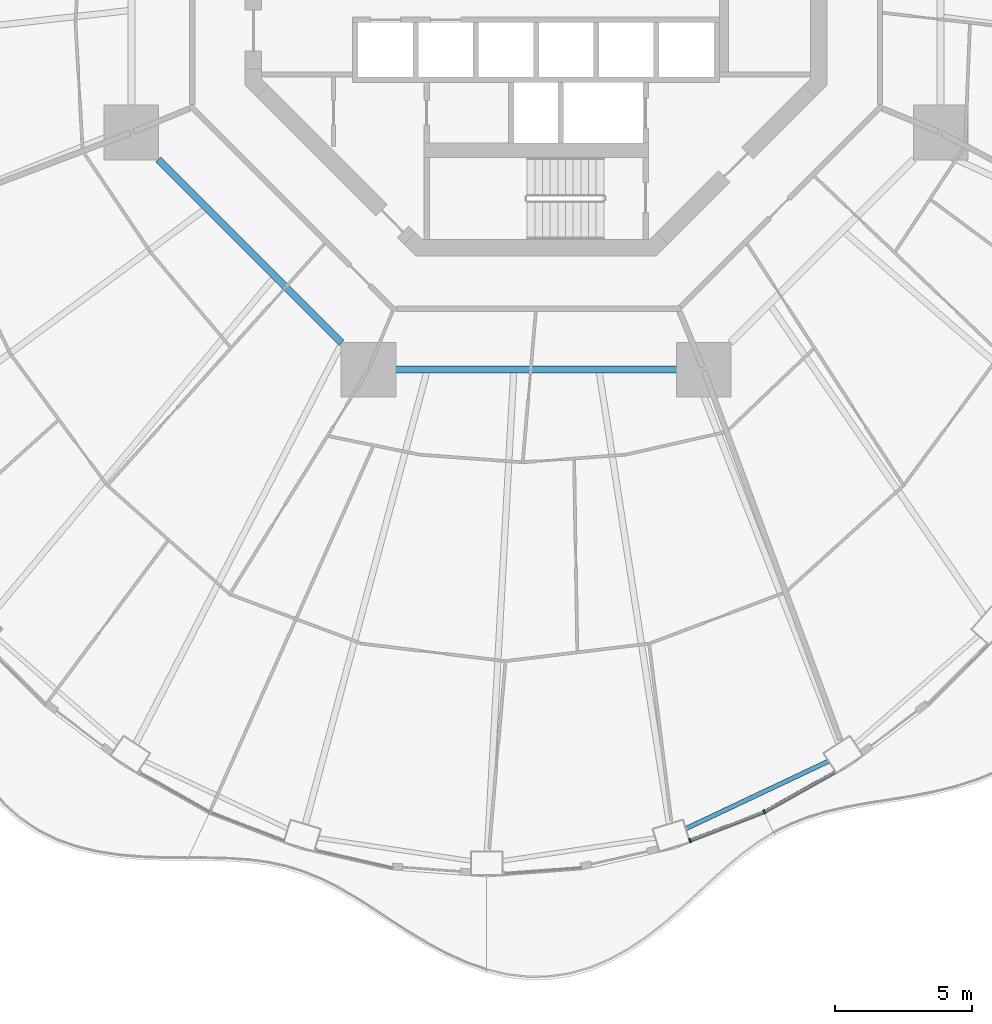
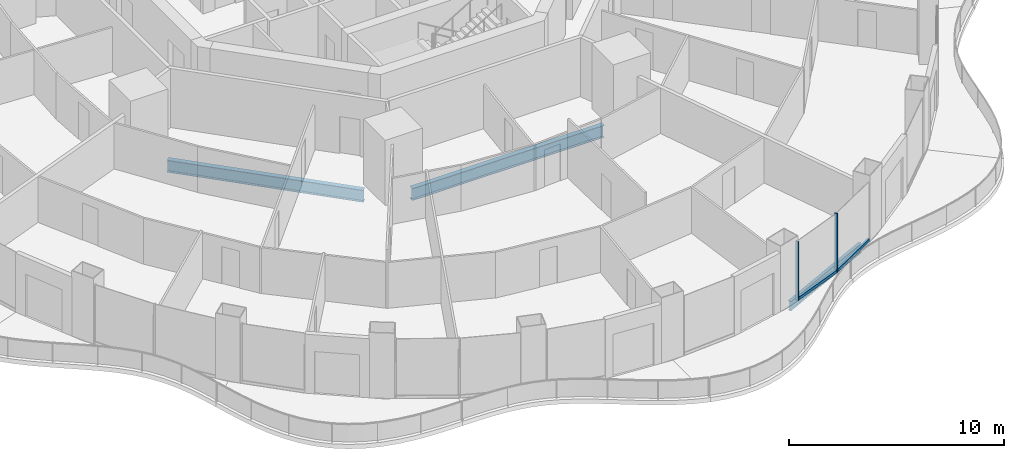
# One storey, part 5 of 21: 4 members, 3 beams, 2 elements without a shape of their own.
"""IFC4 building model written with IfcOpenShell, lengths in metres."""

import ifcopenshell
import ifcopenshell.guid

model = None  # the IFC model being written
_history = None  # IfcOwnerHistory: only IFC2X3 demands one
_inside = {}  # id of a spatial element -> (the spatial element, [elements in it])
_under = {}  # id of a project, library or spatial element -> (it, [spatial elements below it])
_declared = {}  # id of a project -> (the project, [libraries it declares])
_typed = {}  # id of a type object -> (the type object, [elements of that type])
_made_of = {}  # id of a material, layer set ... -> (it, [elements and type objects made of it])


def new_model(schema):
    """Start an empty IFC model of exactly this schema.

    Asked for "IFC4X3", IfcOpenShell would pick the latest addendum, in which some entities
    have other attributes; the version numbers below select the first issue.
    IFC2X3 requires an IfcOwnerHistory on every rooted entity: one is made here for all.
    """
    global model, _history
    if schema == "IFC4X3":
        model = ifcopenshell.file(schema_version=(4, 3, 0, 0))
    else:
        model = ifcopenshell.file(schema=schema)
    _inside.clear()
    _under.clear()
    _declared.clear()
    _typed.clear()
    _made_of.clear()
    _history = None
    if model.schema == "IFC2X3":
        org = make("IfcOrganization", Name="unknown")
        user = make(
            "IfcPersonAndOrganization",
            ThePerson=make("IfcPerson", FamilyName="unknown"),
            TheOrganization=org,
        )
        app = make(
            "IfcApplication",
            ApplicationDeveloper=org,
            Version="unknown",
            ApplicationFullName="unknown",
            ApplicationIdentifier="unknown",
        )
        _history = make(
            "IfcOwnerHistory",
            OwningUser=user,
            OwningApplication=app,
            ChangeAction="ADDED",
            CreationDate=0,
        )
    return model


def make(cls, **values):
    """One entity of the class cls with the attributes given. An attribute that is None is left unset."""
    return model.create_entity(
        cls, **{name: value for name, value in values.items() if value is not None}
    )


def rooted(cls, **values):
    """An entity with a GlobalId (a new one), such as an element, a storey or a relation."""
    return make(cls, GlobalId=ifcopenshell.guid.new(), OwnerHistory=_history, **values)


def si_unit(unit_type, name, prefix=None):
    """IfcSIUnit, for example si_unit("LENGTHUNIT", "METRE", prefix="MILLI")."""
    return make("IfcSIUnit", UnitType=unit_type, Prefix=prefix, Name=name)


def assignment(units):
    """IfcUnitAssignment: the units of a project."""
    return None if units is None else make("IfcUnitAssignment", Units=units)


def point(xyz):
    """IfcCartesianPoint."""
    return None if xyz is None else make("IfcCartesianPoint", Coordinates=xyz)


def direction(xyz):
    """IfcDirection."""
    return None if xyz is None else make("IfcDirection", DirectionRatios=xyz)


def frame(location, z_axis=None, x_axis=None):
    """IfcAxis2Placement3D, a coordinate frame: its origin and axes. An axis left out is left unset."""
    return make(
        "IfcAxis2Placement3D",
        Location=point(location),
        Axis=direction(z_axis),
        RefDirection=direction(x_axis),
    )


def frame_2d(location, x_axis=None):
    """IfcAxis2Placement2D, a coordinate frame in the plane: its origin and x axis."""
    return make(
        "IfcAxis2Placement2D", Location=point(location), RefDirection=direction(x_axis)
    )


def origin():
    """The frame at (0, 0, 0) with its axes left unset."""
    return frame((0.0, 0.0, 0.0))


def origin_2d():
    """The frame at (0, 0) in the plane with its x axis left unset."""
    return frame_2d((0.0, 0.0))


def place(relative_to, where):
    """IfcLocalPlacement: puts the frame where relative to a parent placement (None: the world)."""
    return make(
        "IfcLocalPlacement", PlacementRelTo=relative_to, RelativePlacement=where
    )


def context(
    kind, dimensions, precision=None, world=None, true_north=None, identifier=None
):
    """IfcGeometricRepresentationContext, for example the 3D "Model" context."""
    return make(
        "IfcGeometricRepresentationContext",
        ContextIdentifier=identifier,
        ContextType=kind,
        CoordinateSpaceDimension=dimensions,
        Precision=precision,
        WorldCoordinateSystem=world,
        TrueNorth=true_north,
    )


def subcontext(parent, identifier, kind, view, scale=None):
    """IfcGeometricRepresentationSubContext, for example "Body" below "Model"."""
    return make(
        "IfcGeometricRepresentationSubContext",
        ContextIdentifier=identifier,
        ContextType=kind,
        ParentContext=parent,
        TargetScale=scale,
        TargetView=view,
    )


def project(units=None, contexts=None):
    """IfcProject with its units and contexts."""
    return rooted(
        "IfcProject",
        Name="project",
        RepresentationContexts=contexts,
        UnitsInContext=assignment(units),
    )


def spatial(cls, under=None, at=None, **own):
    """A site, building, storey or space (cls), placed at a placement, below another one or the project."""
    s = rooted(cls, ObjectPlacement=at, **own)
    if under is not None:
        _under.setdefault(under.id(), (under, []))[1].append(s)
    return s


def profile(cls, at=None, kind="AREA", **sizes):
    """A parametric profile (cls). Its sizes go by their IFC names, for example OverallWidth=200.0."""
    return make(cls, ProfileType=kind, Position=at, **sizes)


def rectangle(**sizes):
    """IfcRectangleProfileDef."""
    return profile("IfcRectangleProfileDef", **sizes)


def i_section(**sizes):
    """IfcIShapeProfileDef."""
    return profile("IfcIShapeProfileDef", **sizes)


def extrude(swept, where, along, depth):
    """IfcExtrudedAreaSolid: the profile swept, set in the frame where, extruded along a direction by depth."""
    return make(
        "IfcExtrudedAreaSolid",
        SweptArea=swept,
        Position=where,
        ExtrudedDirection=direction(along),
        Depth=depth,
    )


def shape(context_of_items, identifier, shape_type, items):
    """IfcShapeRepresentation: the items that make up one representation, for example the "Body"."""
    return make(
        "IfcShapeRepresentation",
        ContextOfItems=context_of_items,
        RepresentationIdentifier=identifier,
        RepresentationType=shape_type,
        Items=items,
    )


def material(Name=None, Category=None):
    """IfcMaterial."""
    return make("IfcMaterial", Name=Name, Category=Category)


def layer(
    of_material, thickness, ventilated=None, Name=None, Category=None, Priority=None
):
    """IfcMaterialLayer: one layer of a wall or slab, of a material (None: an air gap)."""
    return make(
        "IfcMaterialLayer",
        Material=of_material,
        LayerThickness=thickness,
        IsVentilated=ventilated,
        Name=Name,
        Category=Category,
        Priority=Priority,
    )


def layer_set(layers, Name=None):
    """IfcMaterialLayerSet."""
    return make("IfcMaterialLayerSet", MaterialLayers=layers, LayerSetName=Name)


def material_profile(
    of_material, cross_section, Name=None, Category=None, Priority=None
):
    """IfcMaterialProfile: a cross section and its material."""
    return make(
        "IfcMaterialProfile",
        Name=Name,
        Material=of_material,
        Profile=cross_section,
        Priority=Priority,
        Category=Category,
    )


def profile_set(profiles, Name=None, composite=None):
    """IfcMaterialProfileSet."""
    return make(
        "IfcMaterialProfileSet",
        Name=Name,
        MaterialProfiles=profiles,
        CompositeProfile=composite,
    )


def made_of(thing, what):
    """Note that an element or type object is made of a material, layer set ...; save() writes the relation."""
    if what is not None:
        _made_of.setdefault(what.id(), (what, []))[1].append(thing)
    return thing


def type_object(cls, material=None, **own):
    """A type object (cls), such as IfcWallType, which elements share."""
    return made_of(rooted(cls, **own), material)


def element(
    cls,
    number,
    at=None,
    inside=None,
    cuts=None,
    type_object=None,
    material=None,
    context=None,
    identifier="Body",
    shape_type=None,
    held_by="IfcProductDefinitionShape",
    body=None,
    shapes=None,
    **own,
):
    """One element of the class cls, such as IfcWall. Its Tag is "e" and its number.

    at: its placement. inside: the storey or other place that contains it. cuts: it is an
    opening in that element (IfcRelVoidsElement). A single representation is given by context,
    identifier, shape_type and body (its items); several are given by shapes. held_by: the class
    of the entity that holds the representations. save() writes the other relations.
    """
    e = rooted(cls, Tag="e%d" % number, ObjectPlacement=at, **own)
    if body is not None:
        shapes = [shape(context, identifier, shape_type, body)]
    if shapes is not None:
        e.Representation = make(held_by, Representations=shapes)
    if inside is not None:
        _inside.setdefault(inside.id(), (inside, []))[1].append(e)
    if cuts is not None:
        rooted(
            "IfcRelVoidsElement", RelatingBuildingElement=cuts, RelatedOpeningElement=e
        )
    if type_object is not None:
        _typed.setdefault(type_object.id(), (type_object, []))[1].append(e)
    return made_of(e, material)


def aggregate(whole, parts):
    """IfcRelAggregates: a whole, such as a stair, and the parts it consists of."""
    return rooted("IfcRelAggregates", RelatingObject=whole, RelatedObjects=parts)


def save(model, path):
    """Write the relations noted so far, then the file.

    IfcRelAggregates (storeys below a building ...), IfcRelContainedInSpatialStructure (elements
    in a storey), IfcRelDefinesByType, IfcRelAssociatesMaterial and IfcRelDeclares: one each for
    every whole, place, type object, material and project.
    """
    for whole, parts in _under.values():
        aggregate(whole, parts)
    for where, things in _inside.values():
        rooted(
            "IfcRelContainedInSpatialStructure",
            RelatedElements=things,
            RelatingStructure=where,
        )
    for kind, things in _typed.values():
        rooted("IfcRelDefinesByType", RelatedObjects=things, RelatingType=kind)
    for what, things in _made_of.values():
        rooted("IfcRelAssociatesMaterial", RelatedObjects=things, RelatingMaterial=what)
    for by, libraries in _declared.values():
        rooted("IfcRelDeclares", RelatingContext=by, RelatedDefinitions=libraries)
    model.write(path)


model = new_model("IFC4")

# Units and contexts
model_context = context("Model", 3, precision=1e-05, world=origin(), true_north=direction((0.0, 1.0)))
body_context = subcontext(model_context, "Body", "Model", "MODEL_VIEW")
ifc_project = project(units=[si_unit("LENGTHUNIT", "METRE"), si_unit("AREAUNIT", "SQUARE_METRE"), si_unit("VOLUMEUNIT", "CUBIC_METRE"), si_unit("PLANEANGLEUNIT", "RADIAN"), si_unit("MASSUNIT", "GRAM", prefix="KILO")], contexts=[model_context])

# Site, building, storey
site_placement = place(None, origin())
site = spatial("IfcSite", under=ifc_project, at=site_placement, CompositionType="ELEMENT")
building_placement = place(site_placement, origin())
building = spatial("IfcBuilding", under=site, at=building_placement, Name="Nagisa Residences", CompositionType="ELEMENT")
storey_placement = place(building_placement, frame((0.0, 0.0, 156.60009765625)))
storey = spatial("IfcBuildingStorey", under=building, at=storey_placement, Name="L39", CompositionType="ELEMENT", Elevation=156.60009765625)

# Curtain wall, member
ifc_material_1 = material(Name="Concrete-coloured aluminium curtain wall system", Category="concrete")
ifc_layer = layer(ifc_material_1, 0.159912109375)
ifc_layer_set = layer_set([ifc_layer], Name="CW1 CURTAIN WALL")
curtain_wall_type = type_object("IfcCurtainWallType", Name="CW1 CURTAIN WALL", PredefinedType="NOTDEFINED", material=ifc_layer_set)
curtain_wall_1_placement = place(storey_placement, origin())
curtain_wall_1 = element("IfcCurtainWall", 1, at=curtain_wall_1_placement, inside=storey, type_object=curtain_wall_type, Name="cw:CW1:L39:38", PredefinedType="NOTDEFINED")
ifc_material_2 = material(Name="Concrete-coloured aluminium", Category="concrete")
ifc_material_profile_1 = material_profile(ifc_material_2, rectangle(XDim=0.159912109375, YDim=0.06005859375, at=origin_2d()), Name="CW1 MULLION 160x60")
ifc_profile_set_1 = profile_set([ifc_material_profile_1], Name="Concrete-coloured aluminium")
member_type_1 = type_object("IfcMemberType", Name="CW1 MULLION 160x60", PredefinedType="MULLION", material=ifc_profile_set_1)
member_1_placement = place(storey_placement, frame((5.626708984375, -31.982177734375, 0.0), z_axis=(0.0, 0.0, 1.0), x_axis=(-0.360327770268, 0.932825759707, 0.0)))
member_1 = element("IfcMember", 2, at=member_1_placement, type_object=member_type_1, Name="CW1 mullion", PredefinedType="MULLION", context=body_context, shape_type="SweptSolid", body=[
    extrude(rectangle(XDim=0.159912109375, YDim=0.06005859375, at=origin_2d()), origin(), (0.0, 0.0, 1.0), 3.349853515625),
])

curtain_wall_2_placement = place(storey_placement, origin())
curtain_wall_2 = element("IfcCurtainWall", 3, at=curtain_wall_2_placement, inside=storey, type_object=curtain_wall_type, Name="cw:CW1:L39:39", PredefinedType="NOTDEFINED")
member_2_placement = place(storey_placement, frame((8.341552734375, -30.9296875, 0.0), z_axis=(0.0, 0.0, 1.0), x_axis=(-0.489376918501, 0.872072377523, 0.0)))
member_2 = element("IfcMember", 4, at=member_2_placement, type_object=member_type_1, Name="CW1 mullion", PredefinedType="MULLION", context=body_context, shape_type="SweptSolid", body=[
    extrude(rectangle(XDim=0.159912109375, YDim=0.06005859375, at=origin_2d()), origin(), (0.0, 0.0, 1.0), 3.349853515625),
])

# Member
ifc_material_3 = material(Name="Concrete-coloured aluminium", Category="concrete")
ifc_material_profile_2 = material_profile(ifc_material_3, rectangle(XDim=0.1201171875, YDim=0.14990234375, at=origin_2d()), Name="CW1 TRANSOM 120x150")
ifc_profile_set_2 = profile_set([ifc_material_profile_2], Name="Concrete-coloured aluminium")
member_type_2 = type_object("IfcMemberType", Name="CW1 TRANSOM 120x150", PredefinedType="USERDEFINED", material=ifc_profile_set_2)
member_3_placement = place(storey_placement, frame((5.5986328125, -31.992919921875, 0.074951171875), z_axis=(0.932845344347, 0.360277064952, 0.0), x_axis=(-0.360277064952, 0.932845344347, 0.0)))
member_3 = element("IfcMember", 5, at=member_3_placement, type_object=member_type_2, Name="CW1 transom", ObjectType="TRANSOM", PredefinedType="USERDEFINED", context=body_context, shape_type="SweptSolid", body=[
    extrude(rectangle(XDim=0.1201171875, YDim=0.14990234375, at=origin_2d()), origin(), (0.0, 0.0, 1.0), 2.92333984375),
])

aggregate(curtain_wall_1, [member_1, member_3])

member_4_placement = place(storey_placement, frame((8.3154296875, -30.944580078125, 0.074951171875), z_axis=(0.87204719449, 0.4894217921, 0.0), x_axis=(-0.4894217921, 0.87204719449, 0.0)))
member_4 = element("IfcMember", 6, at=member_4_placement, type_object=member_type_2, Name="CW1 transom", ObjectType="TRANSOM", PredefinedType="USERDEFINED", context=body_context, shape_type="SweptSolid", body=[
    extrude(rectangle(XDim=0.1201171875, YDim=0.14990234375, at=origin_2d()), origin(), (0.0, 0.0, 1.0), 2.969482421875),
])

aggregate(curtain_wall_2, [member_2, member_4])

# Beams
ifc_material_4 = material(Name="Steel ASTM A572 Gr 50", Category="steel")
ifc_material_profile_3 = material_profile(ifc_material_4, i_section(OverallWidth=0.25390625, OverallDepth=0.68408203125, WebThickness=0.012451171875, FlangeThickness=0.018798828125, at=origin_2d()), Name="W690x140")
ifc_profile_set_3 = profile_set([ifc_material_profile_3], Name="Steel ASTM A572 Gr 50")
beam_type_1 = type_object("IfcBeamType", Name="Inner ring beam W690x140", PredefinedType="BEAM", material=ifc_profile_set_3)
beam_1_placement = place(storey_placement, frame((-13.796142578125, -7.10888671875, -0.60205078125), z_axis=(0.707106781187, -0.707106781187, 0.0), x_axis=(0.707106781187, 0.707106781187, 0.0)))
element("IfcBeam", 7, at=beam_1_placement, inside=storey, type_object=beam_type_1, Name="beam:L39:ib5", PredefinedType="BEAM", context=body_context, shape_type="SweptSolid", body=[
    extrude(i_section(OverallWidth=0.25390625, OverallDepth=0.68408203125, WebThickness=0.012451171875, FlangeThickness=0.018798828125, at=origin_2d()), origin(), (0.0, 0.0, 1.0), 9.457275390625),
])
beam_2_placement = place(storey_placement, frame((-5.142822265625, -14.781982421875, -0.60205078125), z_axis=(1.0, 0.0, 0.0), x_axis=(0.0, 1.0, 0.0)))
element("IfcBeam", 8, at=beam_2_placement, inside=storey, type_object=beam_type_1, Name="beam:L39:ib6", PredefinedType="BEAM", context=body_context, shape_type="SweptSolid", body=[
    extrude(i_section(OverallWidth=0.25390625, OverallDepth=0.68408203125, WebThickness=0.012451171875, FlangeThickness=0.018798828125, at=origin_2d()), origin(), (0.0, 0.0, 1.0), 10.28564453125),
])
ifc_material_5 = material(Name="Steel ASTM A572 Gr 50", Category="steel")
ifc_material_profile_4 = material_profile(ifc_material_5, i_section(OverallWidth=0.166015625, OverallDepth=0.534912109375, WebThickness=0.01025390625, FlangeThickness=0.0166015625, at=origin_2d()), Name="W530x85")
ifc_profile_set_4 = profile_set([ifc_material_profile_4], Name="Steel ASTM A572 Gr 50")
beam_type_2 = type_object("IfcBeamType", Name="Perimeter ring beam W530x85", PredefinedType="BEAM", material=ifc_profile_set_4)
beam_3_placement = place(storey_placement, frame((5.468505859375, -31.55029296875, -0.527587890625), z_axis=(0.904186034847, 0.427138870143, 0.0), x_axis=(-0.427138870143, 0.904186034847, 0.0)))
element("IfcBeam", 9, at=beam_3_placement, inside=storey, type_object=beam_type_2, Name="beam:L39:pb20", PredefinedType="BEAM", context=body_context, shape_type="SweptSolid", body=[
    extrude(i_section(OverallWidth=0.166015625, OverallDepth=0.534912109375, WebThickness=0.01025390625, FlangeThickness=0.0166015625, at=origin_2d()), origin(), (0.0, 0.0, 1.0), 5.772216796875),
])

save(model, "model.ifc")
